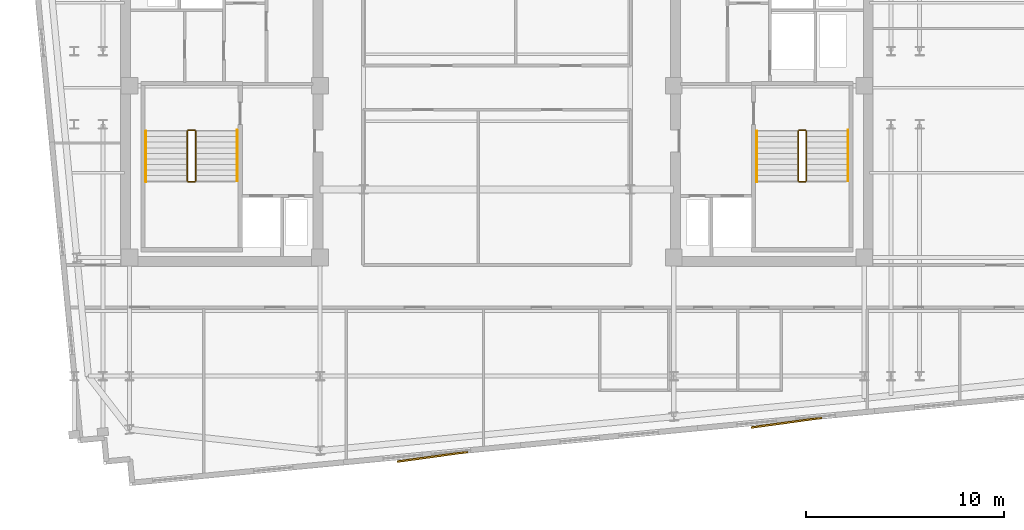
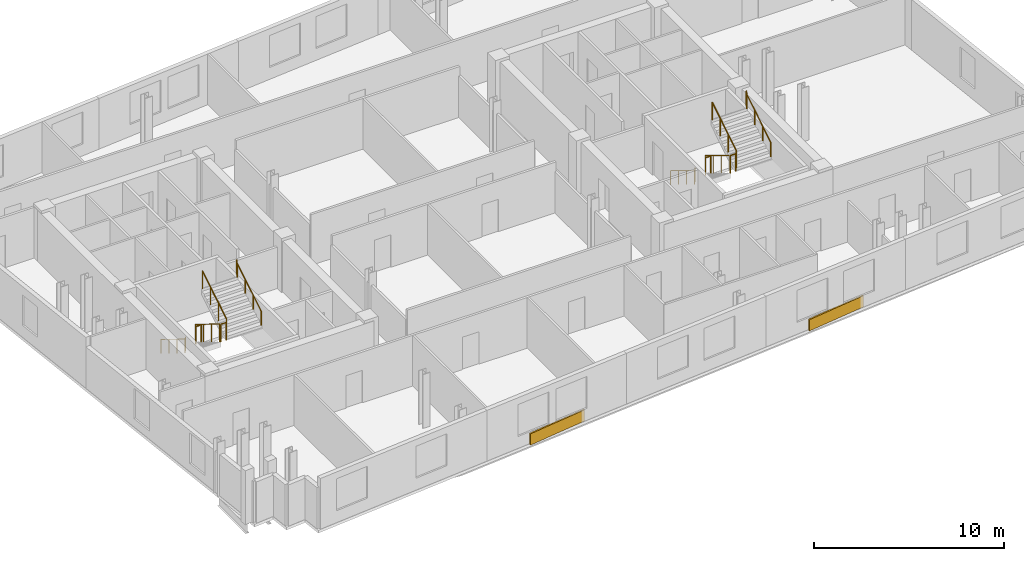
# One storey, part 8 of 9: 12 railings, 2 coverings.
"""IFC4 building model written with IfcOpenShell, lengths in metres."""

from ifc_helpers import new_model, si_unit, direction, frame, origin, origin_2d, place, context, subcontext, project, spatial, rectangle, circle, extrude, material, layer, layer_set, type_object, element, save


model = new_model("IFC4")

# Units and contexts
model_context = context("Model", 3, precision=1e-05, world=origin(), true_north=direction((0.0, 1.0)))
body_context = subcontext(model_context, "Body", "Model", "MODEL_VIEW")
ifc_project = project(units=[si_unit("LENGTHUNIT", "METRE"), si_unit("AREAUNIT", "SQUARE_METRE"), si_unit("VOLUMEUNIT", "CUBIC_METRE"), si_unit("PLANEANGLEUNIT", "RADIAN"), si_unit("MASSUNIT", "GRAM", prefix="KILO")], contexts=[model_context])

# Site, building, storey
site_placement = place(None, origin())
site = spatial("IfcSite", under=ifc_project, at=site_placement, CompositionType="ELEMENT")
building_placement = place(site_placement, origin())
building = spatial("IfcBuilding", under=site, at=building_placement, Name="Velakula Bourse", CompositionType="ELEMENT")
storey_placement = place(building_placement, frame((0.0, 0.0, 268.949951171875)))
storey = spatial("IfcBuildingStorey", under=building, at=storey_placement, Name="L73", CompositionType="ELEMENT", Elevation=268.949951171875)

# Coverings
ifc_material_1 = material(Name="Buff kilned clay facing brick masonry", Category="masonry")
ifc_layer = layer(ifc_material_1, 0.074951171875, Name="Buff kilned clay facing brick masonry", Category="masonry")
ifc_layer_set = layer_set([ifc_layer], Name="Buff kilned clay facing brick masonry")
covering_type = type_object("IfcCoveringType", Name="COV-BRK-SPN-75", PredefinedType="CLADDING", material=ifc_layer_set)
for number, where, z_axis, x_axis, name in (
    (1, (-3.26220703125, -18.68115234375, 0.0), (0.0, 0.0, 1.0), (0.990629029058, 0.136580111242, 0.0), "L73 Folded Brick Facade Cladding Panel S-B2"),
    (2, (14.655029296875, -16.955810546875, 0.0), (0.0, 0.0, 1.0), (0.990629029058, 0.136580111242, 0.0), "L73 Folded Brick Facade Cladding Panel S-B4"),
):
    element("IfcCovering", number, at=place(storey_placement, frame(where, z_axis=z_axis, x_axis=x_axis)), inside=storey, type_object=covering_type, Name=name, PredefinedType="CLADDING", context=body_context, shape_type="SweptSolid", body=[
        extrude(rectangle(XDim=3.60009765625, YDim=0.090087890625, at=origin_2d()), origin(), (0.0, 0.0, 1.0), 0.719970703125),
    ])

# Railings
ifc_material_2 = material(Name="Brushed grade 316 stainless steel", Category="steel")
railing_type_1 = type_object("IfcRailingType", Name="RLG-STAIR-GUARD-1150", PredefinedType="BALUSTRADE", material=ifc_material_2)
railing_1_placement = place(storey_placement, frame((-15.672119140625, -2.199951171875, 0.172607421875)))
element("IfcRailing", 3, at=railing_1_placement, inside=storey, type_object=railing_type_1, Name="L73 ST-W1 stair guard 1", PredefinedType="BALUSTRADE", context=body_context, shape_type="SweptSolid", body=[
    extrude(circle(Radius=0.02490234375, at=origin_2d()), frame((0.0, 0.0, 1.125), z_axis=(0.0, -0.851400495292, 0.524516154772), x_axis=(1.0, 0.0, 0.0)), (0.0, 0.0, 1.0), 2.9599609375),
    extrude(circle(Radius=0.02099609375, at=origin_2d()), origin(), (0.0, 0.0, 1.0), 1.099853515625),
    extrude(circle(Radius=0.02099609375, at=origin_2d()), frame((0.0, -0.840087890625, 0.517578125)), (0.0, 0.0, 1.0), 1.099853515625),
    extrude(circle(Radius=0.02099609375, at=origin_2d()), frame((0.0, -1.679931640625, 1.034912109375)), (0.0, 0.0, 1.0), 1.099853515625),
    extrude(circle(Radius=0.02099609375, at=origin_2d()), frame((0.0, -2.52001953125, 1.552490234375)), (0.0, 0.0, 1.0), 1.099853515625),
])
railing_2_placement = place(storey_placement, frame((-15.6220703125, -4.77001953125, 1.72509765625)))
element("IfcRailing", 4, at=railing_2_placement, inside=storey, type_object=railing_type_1, Name="L73 ST-W1 stair guard 2", PredefinedType="BALUSTRADE", context=body_context, shape_type="SweptSolid", body=[
    extrude(circle(Radius=0.02490234375, at=origin_2d()), frame((0.0, 0.0, 1.125), z_axis=(1.0, 0.0, 0.0), x_axis=(0.0, 1.0, 0.0)), (0.0, 0.0, 1.0), 0.323974609375),
    extrude(circle(Radius=0.02099609375, at=origin_2d()), origin(), (0.0, 0.0, 1.0), 1.099853515625),
    extrude(circle(Radius=0.02099609375, at=origin_2d()), frame((0.323974609375, 0.0, 0.0)), (0.0, 0.0, 1.0), 1.099853515625),
])
railing_3_placement = place(storey_placement, frame((-15.248046875, -4.719970703125, 1.8974609375)))
element("IfcRailing", 5, at=railing_3_placement, inside=storey, type_object=railing_type_1, Name="L73 ST-W1 stair guard 3", PredefinedType="BALUSTRADE", context=body_context, shape_type="SweptSolid", body=[
    extrude(circle(Radius=0.02490234375, at=origin_2d()), frame((0.0, 0.0, 1.125), z_axis=(0.0, 0.851400495292, 0.524516154772), x_axis=(-1.0, 0.0, 0.0)), (0.0, 0.0, 1.0), 2.9599609375),
    extrude(circle(Radius=0.02099609375, at=origin_2d()), origin(), (0.0, 0.0, 1.0), 1.099853515625),
    extrude(circle(Radius=0.02099609375, at=origin_2d()), frame((0.0, 0.840087890625, 0.517578125)), (0.0, 0.0, 1.0), 1.099853515625),
    extrude(circle(Radius=0.02099609375, at=origin_2d()), frame((0.0, 1.679931640625, 1.034912109375)), (0.0, 0.0, 1.0), 1.099853515625),
    extrude(circle(Radius=0.02099609375, at=origin_2d()), frame((0.0, 2.52001953125, 1.552490234375)), (0.0, 0.0, 1.0), 1.099853515625),
])
railing_4_placement = place(storey_placement, frame((-15.6220703125, -2.14990234375, 0.0)))
element("IfcRailing", 6, at=railing_4_placement, inside=storey, type_object=railing_type_1, Name="L73 ST-W1 stair guard 4", PredefinedType="BALUSTRADE", context=body_context, shape_type="SweptSolid", body=[
    extrude(circle(Radius=0.02490234375, at=origin_2d()), frame((0.0, 0.0, 1.125), z_axis=(1.0, 0.0, 0.0), x_axis=(0.0, 1.0, 0.0)), (0.0, 0.0, 1.0), 0.323974609375),
    extrude(circle(Radius=0.02099609375, at=origin_2d()), origin(), (0.0, 0.0, 1.0), 1.099853515625),
    extrude(circle(Radius=0.02099609375, at=origin_2d()), frame((0.323974609375, 0.0, 0.0)), (0.0, 0.0, 1.0), 1.099853515625),
])
railing_5_placement = place(storey_placement, frame((15.248046875, -2.199951171875, 0.172607421875)))
element("IfcRailing", 7, at=railing_5_placement, inside=storey, type_object=railing_type_1, Name="L73 ST-E1 stair guard 1", PredefinedType="BALUSTRADE", context=body_context, shape_type="SweptSolid", body=[
    extrude(circle(Radius=0.02490234375, at=origin_2d()), frame((0.0, 0.0, 1.125), z_axis=(0.0, -0.851400495292, 0.524516154772), x_axis=(1.0, 0.0, 0.0)), (0.0, 0.0, 1.0), 2.9599609375),
    extrude(circle(Radius=0.02099609375, at=origin_2d()), origin(), (0.0, 0.0, 1.0), 1.099853515625),
    extrude(circle(Radius=0.02099609375, at=origin_2d()), frame((0.0, -0.840087890625, 0.517578125)), (0.0, 0.0, 1.0), 1.099853515625),
    extrude(circle(Radius=0.02099609375, at=origin_2d()), frame((0.0, -1.679931640625, 1.034912109375)), (0.0, 0.0, 1.0), 1.099853515625),
    extrude(circle(Radius=0.02099609375, at=origin_2d()), frame((0.0, -2.52001953125, 1.552490234375)), (0.0, 0.0, 1.0), 1.099853515625),
])
railing_6_placement = place(storey_placement, frame((15.298095703125, -4.77001953125, 1.72509765625)))
element("IfcRailing", 8, at=railing_6_placement, inside=storey, type_object=railing_type_1, Name="L73 ST-E1 stair guard 2", PredefinedType="BALUSTRADE", context=body_context, shape_type="SweptSolid", body=[
    extrude(circle(Radius=0.02490234375, at=origin_2d()), frame((0.0, 0.0, 1.125), z_axis=(1.0, 0.0, 0.0), x_axis=(0.0, 1.0, 0.0)), (0.0, 0.0, 1.0), 0.323974609375),
    extrude(circle(Radius=0.02099609375, at=origin_2d()), origin(), (0.0, 0.0, 1.0), 1.099853515625),
    extrude(circle(Radius=0.02099609375, at=origin_2d()), frame((0.323974609375, 0.0, 0.0)), (0.0, 0.0, 1.0), 1.099853515625),
])
railing_7_placement = place(storey_placement, frame((15.672119140625, -4.719970703125, 1.8974609375)))
element("IfcRailing", 9, at=railing_7_placement, inside=storey, type_object=railing_type_1, Name="L73 ST-E1 stair guard 3", PredefinedType="BALUSTRADE", context=body_context, shape_type="SweptSolid", body=[
    extrude(circle(Radius=0.02490234375, at=origin_2d()), frame((0.0, 0.0, 1.125), z_axis=(0.0, 0.851400495292, 0.524516154772), x_axis=(-1.0, 0.0, 0.0)), (0.0, 0.0, 1.0), 2.9599609375),
    extrude(circle(Radius=0.02099609375, at=origin_2d()), origin(), (0.0, 0.0, 1.0), 1.099853515625),
    extrude(circle(Radius=0.02099609375, at=origin_2d()), frame((0.0, 0.840087890625, 0.517578125)), (0.0, 0.0, 1.0), 1.099853515625),
    extrude(circle(Radius=0.02099609375, at=origin_2d()), frame((0.0, 1.679931640625, 1.034912109375)), (0.0, 0.0, 1.0), 1.099853515625),
    extrude(circle(Radius=0.02099609375, at=origin_2d()), frame((0.0, 2.52001953125, 1.552490234375)), (0.0, 0.0, 1.0), 1.099853515625),
])
railing_8_placement = place(storey_placement, frame((15.298095703125, -2.14990234375, 0.0)))
element("IfcRailing", 10, at=railing_8_placement, inside=storey, type_object=railing_type_1, Name="L73 ST-E1 stair guard 4", PredefinedType="BALUSTRADE", context=body_context, shape_type="SweptSolid", body=[
    extrude(circle(Radius=0.02490234375, at=origin_2d()), frame((0.0, 0.0, 1.125), z_axis=(1.0, 0.0, 0.0), x_axis=(0.0, 1.0, 0.0)), (0.0, 0.0, 1.0), 0.323974609375),
    extrude(circle(Radius=0.02099609375, at=origin_2d()), origin(), (0.0, 0.0, 1.0), 1.099853515625),
    extrude(circle(Radius=0.02099609375, at=origin_2d()), frame((0.323974609375, 0.0, 0.0)), (0.0, 0.0, 1.0), 1.099853515625),
])
railing_type_2 = type_object("IfcRailingType", Name="RLG-STAIR-HAND-920", PredefinedType="HANDRAIL", material=ifc_material_2)
railing_9_placement = place(storey_placement, frame((-17.77001953125, -2.199951171875, 0.172607421875)))
element("IfcRailing", 11, at=railing_9_placement, inside=storey, type_object=railing_type_2, Name="L73 ST-W1 stair handrail 1", PredefinedType="HANDRAIL", context=body_context, shape_type="SweptSolid", body=[
    extrude(circle(Radius=0.02099609375, at=origin_2d()), frame((0.0, 0.0, 0.89892578125), z_axis=(0.0, -0.851400495292, 0.524516154772), x_axis=(1.0, 0.0, 0.0)), (0.0, 0.0, 1.0), 2.9599609375),
    extrude(circle(Radius=0.02099609375, at=origin_2d()), frame((0.0, -2.52001953125, 2.451416015625), z_axis=(0.0, -0.226269970362, 0.974064628509), x_axis=(1.0, 0.0, 0.0)), (0.0, 0.0, 1.0), 0.177001953125),
    extrude(circle(Radius=0.02099609375, at=origin_2d()), frame((0.0, -2.56005859375, 2.623779296875), z_axis=(0.0, -1.0, 0.0), x_axis=(1.0, 0.0, 0.0)), (0.0, 0.0, 1.0), 0.0048828125),
    extrude(circle(Radius=0.02099609375, at=origin_2d()), origin(), (0.0, 0.0, 1.0), 0.8779296875),
    extrude(circle(Radius=0.02099609375, at=origin_2d()), frame((0.0, -0.840087890625, 0.517578125)), (0.0, 0.0, 1.0), 0.8779296875),
    extrude(circle(Radius=0.02099609375, at=origin_2d()), frame((0.0, -1.679931640625, 1.034912109375)), (0.0, 0.0, 1.0), 0.8779296875),
    extrude(circle(Radius=0.02099609375, at=origin_2d()), frame((0.0, -2.52001953125, 1.552490234375)), (0.0, 0.0, 1.0), 0.8779296875),
    extrude(circle(Radius=0.02099609375, at=origin_2d()), frame((0.0, -2.56005859375, 1.724853515625)), (0.0, 0.0, 1.0), 0.8779296875),
    extrude(circle(Radius=0.02099609375, at=origin_2d()), frame((0.0, -2.56494140625, 1.724853515625)), (0.0, 0.0, 1.0), 0.8779296875),
])
railing_10_placement = place(storey_placement, frame((-13.14990234375, -4.719970703125, 1.8974609375)))
element("IfcRailing", 12, at=railing_10_placement, inside=storey, type_object=railing_type_2, Name="L73 ST-W1 stair handrail 2", PredefinedType="HANDRAIL", context=body_context, shape_type="SweptSolid", body=[
    extrude(circle(Radius=0.02099609375, at=origin_2d()), frame((0.0, 0.0, 0.89892578125), z_axis=(0.0, 0.851400495292, 0.524516154772), x_axis=(-1.0, 0.0, 0.0)), (0.0, 0.0, 1.0), 2.9599609375),
    extrude(circle(Radius=0.02099609375, at=origin_2d()), frame((0.0, 2.52001953125, 2.451416015625), z_axis=(0.0, 0.22596628056, 0.974135124123), x_axis=(-1.0, 0.0, 0.0)), (0.0, 0.0, 1.0), 0.17724609375),
    extrude(circle(Radius=0.02099609375, at=origin_2d()), frame((0.0, 2.56005859375, 2.6240234375), z_axis=(0.0, 1.0, 0.0), x_axis=(-1.0, 0.0, 0.0)), (0.0, 0.0, 1.0), 0.0048828125),
    extrude(circle(Radius=0.02099609375, at=origin_2d()), origin(), (0.0, 0.0, 1.0), 0.8779296875),
    extrude(circle(Radius=0.02099609375, at=origin_2d()), frame((0.0, 0.840087890625, 0.517578125)), (0.0, 0.0, 1.0), 0.8779296875),
    extrude(circle(Radius=0.02099609375, at=origin_2d()), frame((0.0, 1.679931640625, 1.034912109375)), (0.0, 0.0, 1.0), 0.8779296875),
    extrude(circle(Radius=0.02099609375, at=origin_2d()), frame((0.0, 2.52001953125, 1.552490234375)), (0.0, 0.0, 1.0), 0.8779296875),
    extrude(circle(Radius=0.02099609375, at=origin_2d()), frame((0.0, 2.56005859375, 1.72509765625)), (0.0, 0.0, 1.0), 0.8779296875),
    extrude(circle(Radius=0.02099609375, at=origin_2d()), frame((0.0, 2.56494140625, 1.72509765625)), (0.0, 0.0, 1.0), 0.8779296875),
])
railing_11_placement = place(storey_placement, frame((13.14990234375, -2.199951171875, 0.172607421875)))
element("IfcRailing", 13, at=railing_11_placement, inside=storey, type_object=railing_type_2, Name="L73 ST-E1 stair handrail 1", PredefinedType="HANDRAIL", context=body_context, shape_type="SweptSolid", body=[
    extrude(circle(Radius=0.02099609375, at=origin_2d()), frame((0.0, 0.0, 0.89892578125), z_axis=(0.0, -0.851400495292, 0.524516154772), x_axis=(1.0, 0.0, 0.0)), (0.0, 0.0, 1.0), 2.9599609375),
    extrude(circle(Radius=0.02099609375, at=origin_2d()), frame((0.0, -2.52001953125, 2.451416015625), z_axis=(0.0, -0.226269970362, 0.974064628509), x_axis=(1.0, 0.0, 0.0)), (0.0, 0.0, 1.0), 0.177001953125),
    extrude(circle(Radius=0.02099609375, at=origin_2d()), frame((0.0, -2.56005859375, 2.623779296875), z_axis=(0.0, -1.0, 0.0), x_axis=(1.0, 0.0, 0.0)), (0.0, 0.0, 1.0), 0.0048828125),
    extrude(circle(Radius=0.02099609375, at=origin_2d()), origin(), (0.0, 0.0, 1.0), 0.8779296875),
    extrude(circle(Radius=0.02099609375, at=origin_2d()), frame((0.0, -0.840087890625, 0.517578125)), (0.0, 0.0, 1.0), 0.8779296875),
    extrude(circle(Radius=0.02099609375, at=origin_2d()), frame((0.0, -1.679931640625, 1.034912109375)), (0.0, 0.0, 1.0), 0.8779296875),
    extrude(circle(Radius=0.02099609375, at=origin_2d()), frame((0.0, -2.52001953125, 1.552490234375)), (0.0, 0.0, 1.0), 0.8779296875),
    extrude(circle(Radius=0.02099609375, at=origin_2d()), frame((0.0, -2.56005859375, 1.724853515625)), (0.0, 0.0, 1.0), 0.8779296875),
    extrude(circle(Radius=0.02099609375, at=origin_2d()), frame((0.0, -2.56494140625, 1.724853515625)), (0.0, 0.0, 1.0), 0.8779296875),
])
railing_12_placement = place(storey_placement, frame((17.77001953125, -4.719970703125, 1.8974609375)))
element("IfcRailing", 14, at=railing_12_placement, inside=storey, type_object=railing_type_2, Name="L73 ST-E1 stair handrail 2", PredefinedType="HANDRAIL", context=body_context, shape_type="SweptSolid", body=[
    extrude(circle(Radius=0.02099609375, at=origin_2d()), frame((0.0, 0.0, 0.89892578125), z_axis=(0.0, 0.851400495292, 0.524516154772), x_axis=(-1.0, 0.0, 0.0)), (0.0, 0.0, 1.0), 2.9599609375),
    extrude(circle(Radius=0.02099609375, at=origin_2d()), frame((0.0, 2.52001953125, 2.451416015625), z_axis=(0.0, 0.22596628056, 0.974135124123), x_axis=(-1.0, 0.0, 0.0)), (0.0, 0.0, 1.0), 0.17724609375),
    extrude(circle(Radius=0.02099609375, at=origin_2d()), frame((0.0, 2.56005859375, 2.6240234375), z_axis=(0.0, 1.0, 0.0), x_axis=(-1.0, 0.0, 0.0)), (0.0, 0.0, 1.0), 0.0048828125),
    extrude(circle(Radius=0.02099609375, at=origin_2d()), origin(), (0.0, 0.0, 1.0), 0.8779296875),
    extrude(circle(Radius=0.02099609375, at=origin_2d()), frame((0.0, 0.840087890625, 0.517578125)), (0.0, 0.0, 1.0), 0.8779296875),
    extrude(circle(Radius=0.02099609375, at=origin_2d()), frame((0.0, 1.679931640625, 1.034912109375)), (0.0, 0.0, 1.0), 0.8779296875),
    extrude(circle(Radius=0.02099609375, at=origin_2d()), frame((0.0, 2.52001953125, 1.552490234375)), (0.0, 0.0, 1.0), 0.8779296875),
    extrude(circle(Radius=0.02099609375, at=origin_2d()), frame((0.0, 2.56005859375, 1.72509765625)), (0.0, 0.0, 1.0), 0.8779296875),
    extrude(circle(Radius=0.02099609375, at=origin_2d()), frame((0.0, 2.56494140625, 1.72509765625)), (0.0, 0.0, 1.0), 0.8779296875),
])

save(model, "model.ifc")
